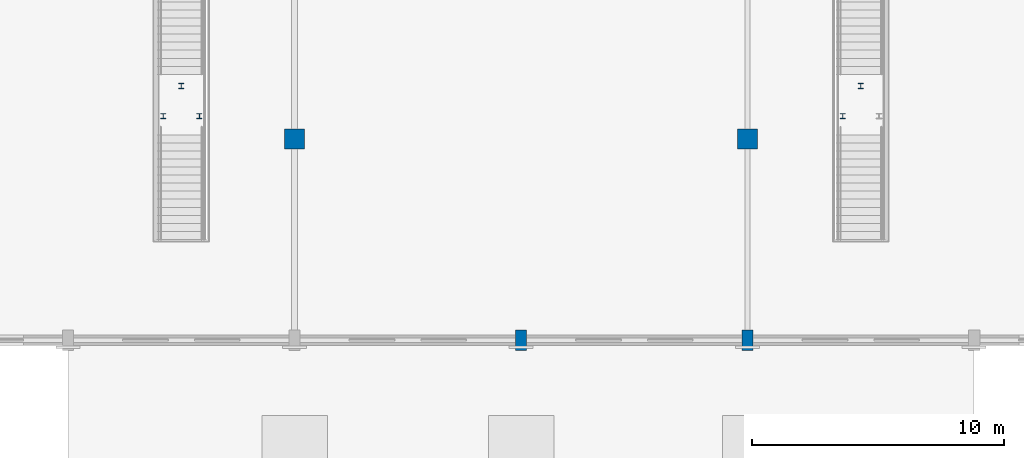
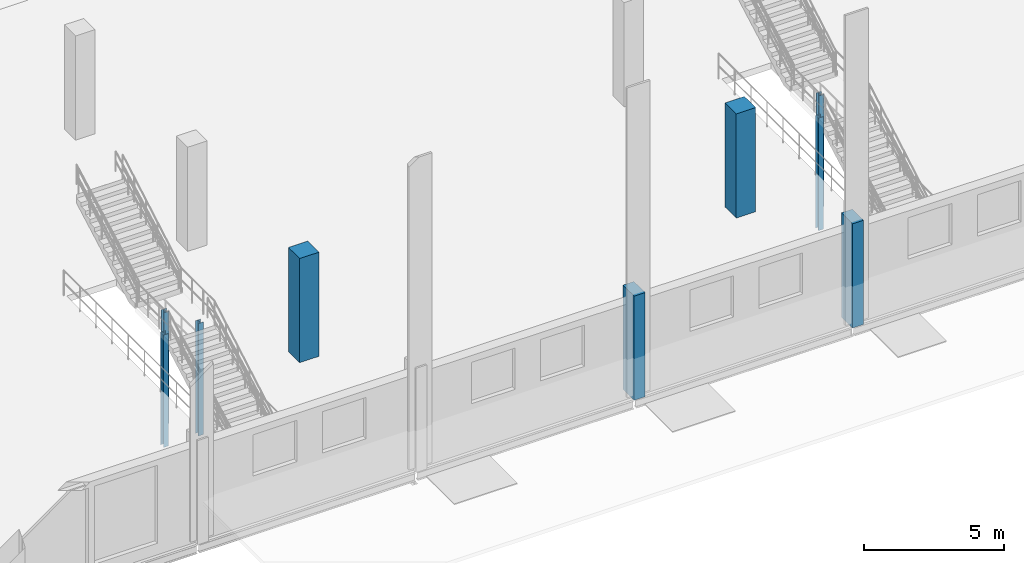
# One storey, part 5 of 93: 9 columns.
"""IFC4 building model written with IfcOpenShell, lengths in metres."""

from ifc_helpers import new_model, si_unit, direction, frame, origin, origin_2d, place, context, subcontext, project, spatial, rectangle, i_section, extrude, material, material_profile, profile_set, type_object, element, save


model = new_model("IFC4")

# Units and contexts
model_context = context("Model", 3, precision=1e-05, world=origin(), true_north=direction((0.0, 1.0)))
body_context = subcontext(model_context, "Body", "Model", "MODEL_VIEW")
ifc_project = project(units=[si_unit("LENGTHUNIT", "METRE"), si_unit("AREAUNIT", "SQUARE_METRE"), si_unit("VOLUMEUNIT", "CUBIC_METRE"), si_unit("PLANEANGLEUNIT", "RADIAN"), si_unit("MASSUNIT", "GRAM", prefix="KILO")], contexts=[model_context])

# Site, building, storey
site_placement = place(None, origin())
site = spatial("IfcSite", under=ifc_project, at=site_placement, CompositionType="ELEMENT")
building_placement = place(site_placement, origin())
building = spatial("IfcBuilding", under=site, at=building_placement, Name="Marnock Terrace Opera House", CompositionType="ELEMENT")
storey_placement = place(building_placement, frame((0.0, 0.0, 5.39990234375)))
storey = spatial("IfcBuildingStorey", under=building, at=storey_placement, Name="L01", CompositionType="ELEMENT", Elevation=5.39990234375)

# Columns
ifc_material_1 = material(Name="Concrete N40 (f'c = 40 MPa)", Category="concrete")
ifc_material_profile_1 = material_profile(ifc_material_1, rectangle(XDim=0.449951171875, YDim=0.800048828125, at=origin_2d()))
ifc_profile_set_1 = profile_set([ifc_material_profile_1], Name="Concrete N40 (f'c = 40 MPa)")
column_type_1 = type_object("IfcColumnType", Name="COL-PIL-800", PredefinedType="PILASTER", material=ifc_profile_set_1)
for number, where, z_axis, x_axis, name in (
    (1, (82.0, 8.0, 0.0), (0.0, 0.0, 1.0), (1.0, 0.0, 0.0), "L01 column at (82.0, 8.0)"),
    (2, (91.0, 8.0, 0.0), (0.0, 0.0, 1.0), (1.0, 0.0, 0.0), "L01 column at (91.0, 8.0)"),
):
    element("IfcColumn", number, at=place(storey_placement, frame(where, z_axis=z_axis, x_axis=x_axis)), inside=storey, type_object=column_type_1, Name=name, PredefinedType="PILASTER", context=body_context, shape_type="SweptSolid", body=[
        extrude(rectangle(XDim=0.449951171875, YDim=0.800048828125, at=origin_2d()), origin(), (0.0, 0.0, 1.0), 4.5400390625),
    ])
ifc_material_2 = material(Name="Concrete N50 (f'c = 50 MPa)", Category="concrete")
ifc_material_profile_2 = material_profile(ifc_material_2, rectangle(XDim=0.800048828125, YDim=0.800048828125, at=origin_2d()))
ifc_profile_set_2 = profile_set([ifc_material_profile_2], Name="Concrete N50 (f'c = 50 MPa)")
column_type_2 = type_object("IfcColumnType", Name="COL-RC800", PredefinedType="COLUMN", material=ifc_profile_set_2)
for number, where, z_axis, x_axis, name in (
    (3, (73.0, 16.0, 0.0), (0.0, 0.0, 1.0), (1.0, 0.0, 0.0), "L01 column at (73.0, 16.0)"),
    (4, (91.0, 16.0, 0.0), (0.0, 0.0, 1.0), (1.0, 0.0, 0.0), "L01 column at (91.0, 16.0)"),
):
    element("IfcColumn", number, at=place(storey_placement, frame(where, z_axis=z_axis, x_axis=x_axis)), inside=storey, type_object=column_type_2, Name=name, PredefinedType="COLUMN", context=body_context, shape_type="SweptSolid", body=[
        extrude(rectangle(XDim=0.800048828125, YDim=0.800048828125, at=origin_2d()), origin(), (0.0, 0.0, 1.0), 4.5400390625),
    ])
ifc_material_3 = material(Name="Steel Grade 350 (AS/NZS 3679.1)", Category="steel")
ifc_material_profile_3 = material_profile(ifc_material_3, i_section(OverallWidth=0.205078125, OverallDepth=0.209716796875, WebThickness=0.00927734375, FlangeThickness=0.01416015625, FilletRadius=0.011474609375, at=origin_2d()))
ifc_profile_set_3 = profile_set([ifc_material_profile_3], Name="Steel Grade 350 (AS/NZS 3679.1)")
column_type_3 = type_object("IfcColumnType", Name="COL-UC200", PredefinedType="COLUMN", material=ifc_profile_set_3)
for number, where, z_axis, x_axis, name in (
    (5, (67.780029296875, 16.89990234375, -2.699951171875), (0.0, 0.0, 1.0), (1.0, 0.0, 0.0), "L01 Grand Stair ST-09 upper landing column SW"),
    (6, (69.219970703125, 16.89990234375, -2.699951171875), (0.0, 0.0, 1.0), (1.0, 0.0, 0.0), "L01 Grand Stair ST-09 upper landing column SE"),
    (7, (68.5, 18.10009765625, -2.699951171875), (0.0, 0.0, 1.0), (1.0, 0.0, 0.0), "L01 Grand Stair ST-09 upper landing column N"),
    (8, (94.780029296875, 16.89990234375, -2.699951171875), (0.0, 0.0, 1.0), (1.0, 0.0, 0.0), "L01 Grand Stair ST-10 upper landing column SW"),
    (9, (95.5, 18.10009765625, -2.699951171875), (0.0, 0.0, 1.0), (1.0, 0.0, 0.0), "L01 Grand Stair ST-10 upper landing column N"),
):
    element("IfcColumn", number, at=place(storey_placement, frame(where, z_axis=z_axis, x_axis=x_axis)), inside=storey, type_object=column_type_3, Name=name, PredefinedType="COLUMN", context=body_context, shape_type="SweptSolid", body=[
        extrude(i_section(OverallWidth=0.205078125, OverallDepth=0.209716796875, WebThickness=0.00927734375, FlangeThickness=0.01416015625, FilletRadius=0.011474609375, at=origin_2d()), origin(), (0.0, 0.0, 1.0), 4.900146484375),
    ])

save(model, "model.ifc")
